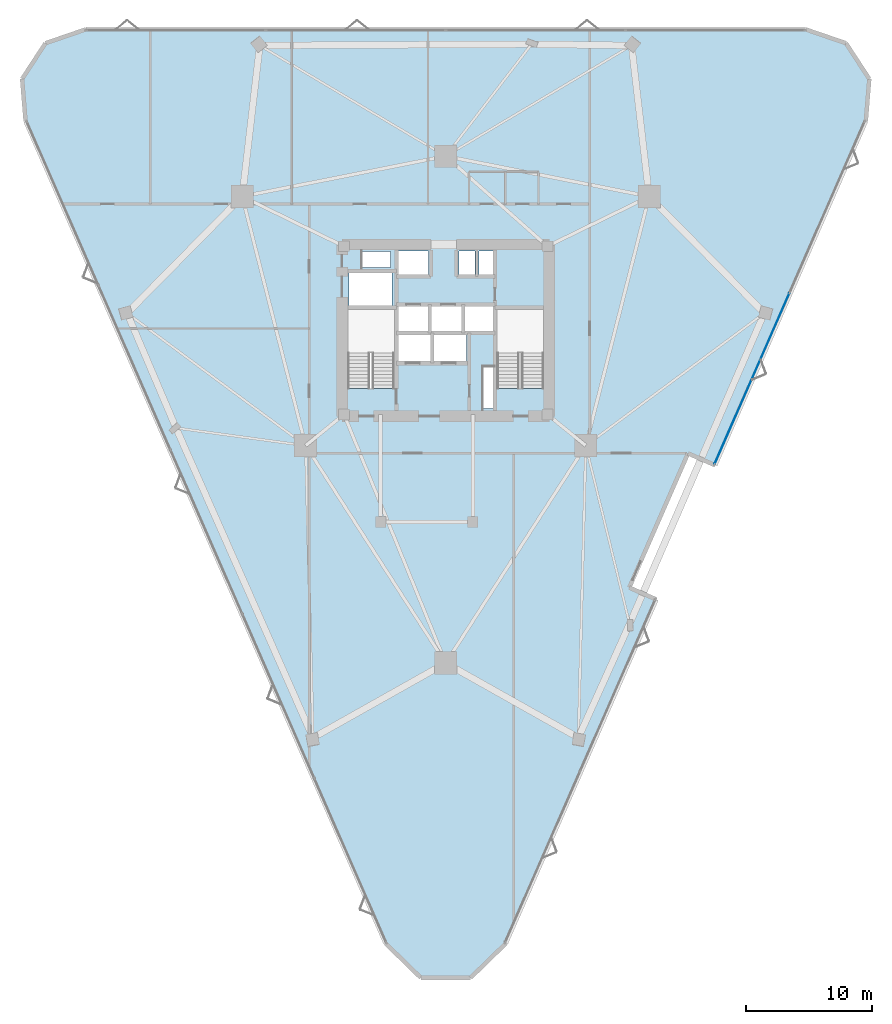
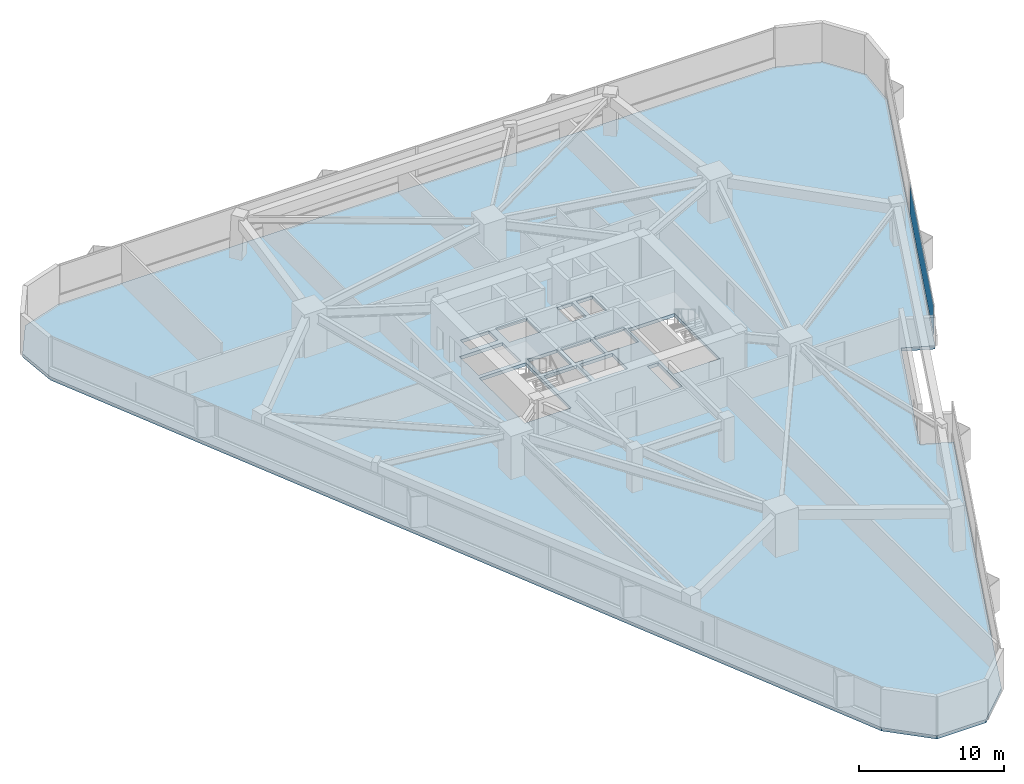
# One storey, part 10 of 14: 1 plate, 1 slab, 1 element without a shape of its own.
"""IFC4 building model written with IfcOpenShell, lengths in metres."""

from ifc_helpers import new_model, si_unit, direction, frame, origin, origin_2d, place, context, subcontext, project, spatial, polyline, rectangle, outline, extrude, material, layer, layer_set, type_object, element, aggregate, save


model = new_model("IFC4")

# Units and contexts
model_context = context("Model", 3, precision=1e-05, world=origin(), true_north=direction((0.0, 1.0)))
body_context = subcontext(model_context, "Body", "Model", "MODEL_VIEW")
ifc_project = project(units=[si_unit("LENGTHUNIT", "METRE"), si_unit("AREAUNIT", "SQUARE_METRE"), si_unit("VOLUMEUNIT", "CUBIC_METRE"), si_unit("PLANEANGLEUNIT", "RADIAN"), si_unit("MASSUNIT", "GRAM", prefix="KILO")], contexts=[model_context])

# Site, building, storey
site_placement = place(None, origin())
site = spatial("IfcSite", under=ifc_project, at=site_placement, CompositionType="ELEMENT")
building_placement = place(site_placement, origin())
building = spatial("IfcBuilding", under=site, at=building_placement, Name="Talyreon Biosciences Tower", CompositionType="ELEMENT")
storey_placement = place(building_placement, frame((0.0, 0.0, 48.35009765625)))
storey = spatial("IfcBuildingStorey", under=building, at=storey_placement, Name="L12", CompositionType="ELEMENT", Elevation=48.35009765625)

# Curtain wall, plate
ifc_material_1 = material(Name="Thermally broken aluminium and low-E glazing", Category="aluminium")
ifc_layer_1 = layer(ifc_material_1, 0.205078125)
ifc_layer_set_1 = layer_set([ifc_layer_1], Name="Thermally broken aluminium and low-E glazing")
curtain_wall_type = type_object("IfcCurtainWallType", Name="CurtainWall_SkyGardenLoggia", PredefinedType="NOTDEFINED", material=ifc_layer_set_1)
curtain_wall_placement = place(storey_placement, origin())
curtain_wall = element("IfcCurtainWall", 1, at=curtain_wall_placement, inside=storey, type_object=curtain_wall_type, Name="L12 Unitised Curtain Wall FCW-L12-07", PredefinedType="NOTDEFINED")
ifc_material_2 = material(Name="Acoustic laminated low-E insulated glazing", Category="glass")
ifc_layer_2 = layer(ifc_material_2, 0.0380859375)
ifc_layer_set_2 = layer_set([ifc_layer_2], Name="Acoustic laminated low-E insulated glazing")
plate_type = type_object("IfcPlateType", Name="CWGlazingPanel_38", PredefinedType="CURTAIN_PANEL", material=ifc_layer_set_2)
plate_placement = place(storey_placement, frame((90.242919921875, 64.17724609375, 0.874755859375), z_axis=(0.0, 0.0, 1.0), x_axis=(-0.401098211105, -0.91603505667, 0.0)))
plate = element("IfcPlate", 2, at=plate_placement, type_object=plate_type, Name="CW7 panel 2.1", PredefinedType="CURTAIN_PANEL", context=body_context, shape_type="SweptSolid", body=[
    extrude(rectangle(XDim=14.7392578125, YDim=0.0380859375, at=origin_2d()), origin(), (0.0, 0.0, 1.0), 2.43505859375),
])
aggregate(curtain_wall, [plate])

# Slab
ifc_material_3 = material(Name="Concrete C40/50", Category="concrete")
ifc_layer_3 = layer(ifc_material_3, 0.27490234375)
ifc_layer_set_3 = layer_set([ifc_layer_3], Name="Concrete C40/50")
slab_type = type_object("IfcSlabType", Name="WetLabFloorSlab_275", PredefinedType="FLOOR", material=ifc_layer_set_3)
slab_placement = place(storey_placement, frame((0.0, 0.0, -0.275146484375)))
element("IfcSlab", 3, at=slab_placement, inside=storey, type_object=slab_type, Name="L12 Structural Floor Slab", PredefinedType="FLOOR", context=body_context, shape_type="SweptSolid", body=[
    extrude(outline(polyline([(32.755859375, 84.534912109375), (32.47900390625, 87.8994140625), (34.326171875, 90.724853515625), (37.519287109375, 91.82080078125), (94.480712890625, 91.82080078125), (97.673828125, 90.724853515625), (99.52099609375, 87.8994140625), (99.244140625, 84.534912109375), (87.330078125, 57.32568359375), (85.177490234375, 58.26806640625), (80.524658203125, 47.64208984375), (82.677490234375, 46.69970703125), (70.763427734375, 19.489990234375), (67.9580078125, 16.75830078125), (64.0419921875, 16.75830078125), (61.236572265625, 19.489990234375), (32.755859375, 84.534912109375)]), holes=[polyline([(61.929931640625, 69.64990234375), (61.929931640625, 63.407958984375), (58.25, 63.407958984375), (58.25, 69.64990234375), (61.929931640625, 69.64990234375)]), polyline([(64.800048828125, 65.550048828125), (62.199951171875, 65.550048828125), (62.199951171875, 67.64990234375), (64.800048828125, 67.64990234375), (64.800048828125, 65.550048828125)]), polyline([(64.60009765625, 67.949951171875), (62.199951171875, 67.949951171875), (62.199951171875, 69.949951171875), (64.60009765625, 69.949951171875), (64.60009765625, 67.949951171875)]), polyline([(67.25, 69.949951171875), (67.25, 67.949951171875), (64.85009765625, 67.949951171875), (64.85009765625, 69.949951171875), (67.25, 69.949951171875)]), polyline([(61.75, 69.97998046875), (58.35009765625, 69.97998046875), (58.35009765625, 72.550048828125), (61.75, 72.550048828125), (61.75, 69.97998046875)]), polyline([(64.64990234375, 72.35009765625), (62.199951171875, 72.35009765625), (62.199951171875, 74.300048828125), (64.64990234375, 74.300048828125), (64.64990234375, 72.35009765625)]), polyline([(61.64990234375, 74.25), (61.64990234375, 72.9599609375), (59.39990234375, 72.9599609375), (59.39990234375, 74.25), (61.64990234375, 74.25)]), polyline([(69.820068359375, 61.800048828125), (68.9599609375, 61.800048828125), (68.9599609375, 65.10009765625), (69.820068359375, 65.10009765625), (69.820068359375, 61.800048828125)]), polyline([(73.75, 63.407958984375), (70.070068359375, 63.407958984375), (70.070068359375, 69.64990234375), (73.75, 69.64990234375), (73.75, 63.407958984375)]), polyline([(67.64990234375, 65.550048828125), (65.050048828125, 65.550048828125), (65.050048828125, 67.64990234375), (67.64990234375, 67.64990234375), (67.64990234375, 65.550048828125)]), polyline([(69.89990234375, 67.949951171875), (67.5, 67.949951171875), (67.5, 69.949951171875), (69.89990234375, 69.949951171875), (69.89990234375, 67.949951171875)]), polyline([(68.300048828125, 72.35009765625), (67.050048828125, 72.35009765625), (67.050048828125, 74.300048828125), (68.300048828125, 74.300048828125), (68.300048828125, 72.35009765625)]), polyline([(69.919921875, 72.35009765625), (68.6201171875, 72.35009765625), (68.6201171875, 74.300048828125), (69.919921875, 74.300048828125), (69.919921875, 72.35009765625)])]), origin(), (0.0, 0.0, 1.0), 0.275146484375),
])

save(model, "model.ifc")
